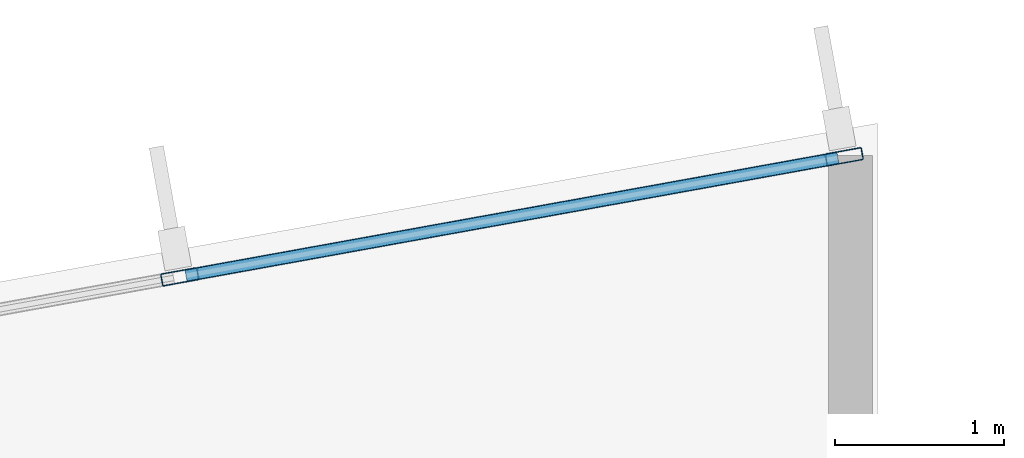
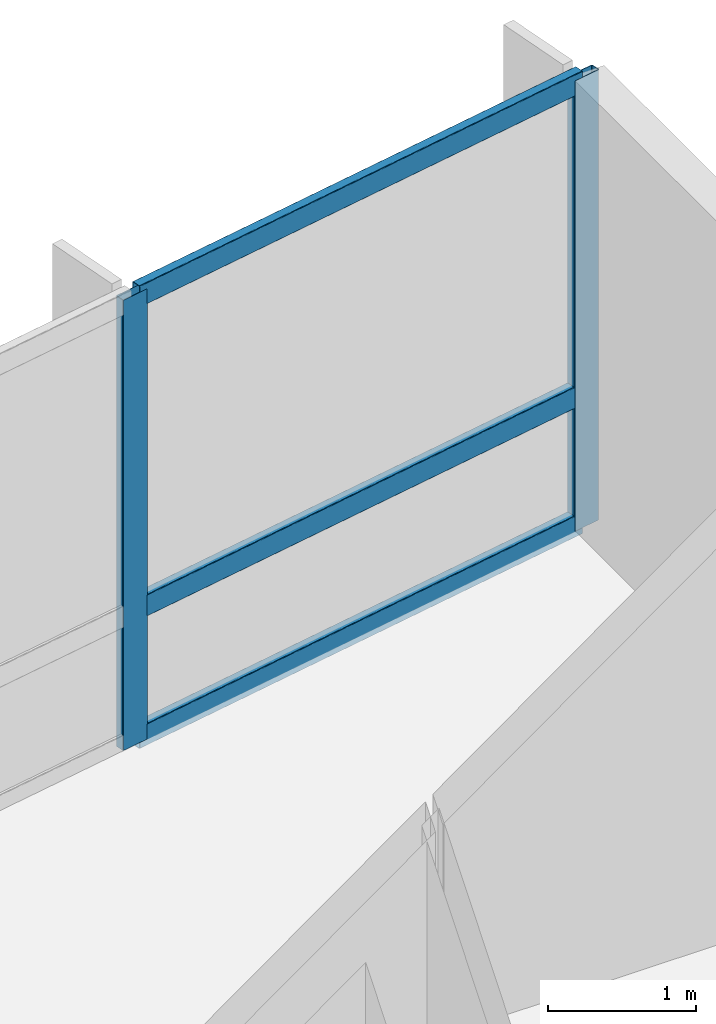
# One storey, part 10 of 19: 5 members, 1 element without a shape of its own.
"""IFC4 building model written with IfcOpenShell, lengths in metres."""

from ifc_helpers import new_model, si_unit, direction, frame, origin, origin_2d, place, context, subcontext, project, spatial, hollow_rectangle, extrude, material, layer, layer_set, material_profile, profile_set, type_object, element, aggregate, save


model = new_model("IFC4")

# Units and contexts
model_context = context("Model", 3, precision=1e-05, world=origin(), true_north=direction((0.0, 1.0)))
body_context = subcontext(model_context, "Body", "Model", "MODEL_VIEW")
ifc_project = project(units=[si_unit("LENGTHUNIT", "METRE"), si_unit("AREAUNIT", "SQUARE_METRE"), si_unit("VOLUMEUNIT", "CUBIC_METRE"), si_unit("PLANEANGLEUNIT", "RADIAN"), si_unit("MASSUNIT", "GRAM", prefix="KILO")], contexts=[model_context])

# Site, building, storey
site_placement = place(None, origin())
site = spatial("IfcSite", under=ifc_project, at=site_placement, CompositionType="ELEMENT")
building_placement = place(site_placement, origin())
building = spatial("IfcBuilding", under=site, at=building_placement, Name="Varnakote Quay Hospital", CompositionType="ELEMENT")
storey_placement = place(building_placement, frame((0.0, 0.0, 85.699951171875)))
storey = spatial("IfcBuildingStorey", under=building, at=storey_placement, Name="L21", CompositionType="ELEMENT", Elevation=85.699951171875)

# Curtain wall, members
ifc_material_1 = material(Name="Anodised aluminium 6063-T6 Bronze", Category="aluminium")
ifc_layer = layer(ifc_material_1, 0.18994140625)
ifc_layer_set = layer_set([ifc_layer], Name="Anodised aluminium 6063-T6 Bronze")
curtain_wall_type = type_object("IfcCurtainWallType", Name="CW-SYS-2", PredefinedType="NOTDEFINED", material=ifc_layer_set)
curtain_wall_placement = place(storey_placement, origin())
curtain_wall = element("IfcCurtainWall", 1, at=curtain_wall_placement, inside=storey, type_object=curtain_wall_type, Name="L21 Unitised Bronze Curtain Wall 2", PredefinedType="NOTDEFINED")
ifc_material_2 = material(Name="Anodised aluminium 6063-T6 Bronze", Category="aluminium")
ifc_material_profile_1 = material_profile(ifc_material_2, hollow_rectangle(XDim=0.074951171875, YDim=0.219970703125, WallThickness=0.00439453125, InnerFilletRadius=0.00439453125, OuterFilletRadius=0.009033203125, at=origin_2d()), Name="CW-MULL-220x75")
ifc_profile_set_1 = profile_set([ifc_material_profile_1], Name="Anodised aluminium 6063-T6 Bronze")
member_type_1 = type_object("IfcMemberType", Name="CW-MULL-220x75", PredefinedType="MULLION", material=ifc_profile_set_1)
member_1_placement = place(storey_placement, frame((55.403076171875, 34.201904296875, 0.0), z_axis=(0.0, 0.0, 1.0), x_axis=(0.177846199098, -0.984058295766, 0.0)))
member_1 = element("IfcMember", 2, at=member_1_placement, type_object=member_type_1, Name="-2-L21-2 mullion 1", PredefinedType="MULLION", context=body_context, shape_type="SweptSolid", body=[
    extrude(hollow_rectangle(XDim=0.074951171875, YDim=0.219970703125, WallThickness=0.00439453125, InnerFilletRadius=0.00439453125, OuterFilletRadius=0.009033203125, at=origin_2d()), origin(), (0.0, 0.0, 1.0), 3.7099609375),
])
member_2_placement = place(storey_placement, frame((51.477294921875, 33.492431640625, 0.0), z_axis=(0.0, 0.0, 1.0), x_axis=(0.177846199098, -0.984058295766, 0.0)))
member_2 = element("IfcMember", 3, at=member_2_placement, type_object=member_type_1, Name="-2-L21-2 mullion 2", PredefinedType="MULLION", context=body_context, shape_type="SweptSolid", body=[
    extrude(hollow_rectangle(XDim=0.074951171875, YDim=0.219970703125, WallThickness=0.00439453125, InnerFilletRadius=0.00439453125, OuterFilletRadius=0.009033203125, at=origin_2d()), origin(), (0.0, 0.0, 1.0), 3.7099609375),
])
ifc_material_3 = material(Name="Anodised aluminium 6063-T6 Bronze", Category="aluminium")
ifc_material_profile_2 = material_profile(ifc_material_3, hollow_rectangle(XDim=0.074951171875, YDim=0.179931640625, WallThickness=0.004150390625, InnerFilletRadius=0.004150390625, OuterFilletRadius=0.00830078125, at=origin_2d()), Name="CW-TRAN-180x75")
ifc_profile_set_2 = profile_set([ifc_material_profile_2], Name="Anodised aluminium 6063-T6 Bronze")
member_type_2 = type_object("IfcMemberType", Name="CW-TRAN-180x75", PredefinedType="USERDEFINED", material=ifc_profile_set_2)
member_3_placement = place(storey_placement, frame((55.3662109375, 34.195068359375, 0.03759765625), z_axis=(-0.984061948229, -0.177825988109, 0.0), x_axis=(0.177825988109, -0.984061948229, 0.0)))
member_3 = element("IfcMember", 4, at=member_3_placement, type_object=member_type_2, Name="-2-L21-2 transom 1.1", ObjectType="TRANSOM", PredefinedType="USERDEFINED", context=body_context, shape_type="SweptSolid", body=[
    extrude(hollow_rectangle(XDim=0.074951171875, YDim=0.179931640625, WallThickness=0.004150390625, InnerFilletRadius=0.004150390625, OuterFilletRadius=0.00830078125, at=origin_2d()), origin(), (0.0, 0.0, 1.0), 3.914306640625),
])
member_4_placement = place(storey_placement, frame((55.3662109375, 34.195068359375, 1.10009765625), z_axis=(-0.984061948229, -0.177825988109, 0.0), x_axis=(0.177825988109, -0.984061948229, 0.0)))
member_4 = element("IfcMember", 5, at=member_4_placement, type_object=member_type_2, Name="-2-L21-2 transom 1.2", ObjectType="TRANSOM", PredefinedType="USERDEFINED", context=body_context, shape_type="SweptSolid", body=[
    extrude(hollow_rectangle(XDim=0.074951171875, YDim=0.179931640625, WallThickness=0.004150390625, InnerFilletRadius=0.004150390625, OuterFilletRadius=0.00830078125, at=origin_2d()), origin(), (0.0, 0.0, 1.0), 3.914306640625),
])
member_5_placement = place(storey_placement, frame((55.3662109375, 34.195068359375, 3.672607421875), z_axis=(-0.984061948229, -0.177825988109, 0.0), x_axis=(0.177825988109, -0.984061948229, 0.0)))
member_5 = element("IfcMember", 6, at=member_5_placement, type_object=member_type_2, Name="-2-L21-2 transom 1.3", ObjectType="TRANSOM", PredefinedType="USERDEFINED", context=body_context, shape_type="SweptSolid", body=[
    extrude(hollow_rectangle(XDim=0.074951171875, YDim=0.179931640625, WallThickness=0.004150390625, InnerFilletRadius=0.004150390625, OuterFilletRadius=0.00830078125, at=origin_2d()), origin(), (0.0, 0.0, 1.0), 3.914306640625),
])
aggregate(curtain_wall, [member_1, member_2, member_3, member_4, member_5])

save(model, "model.ifc")
